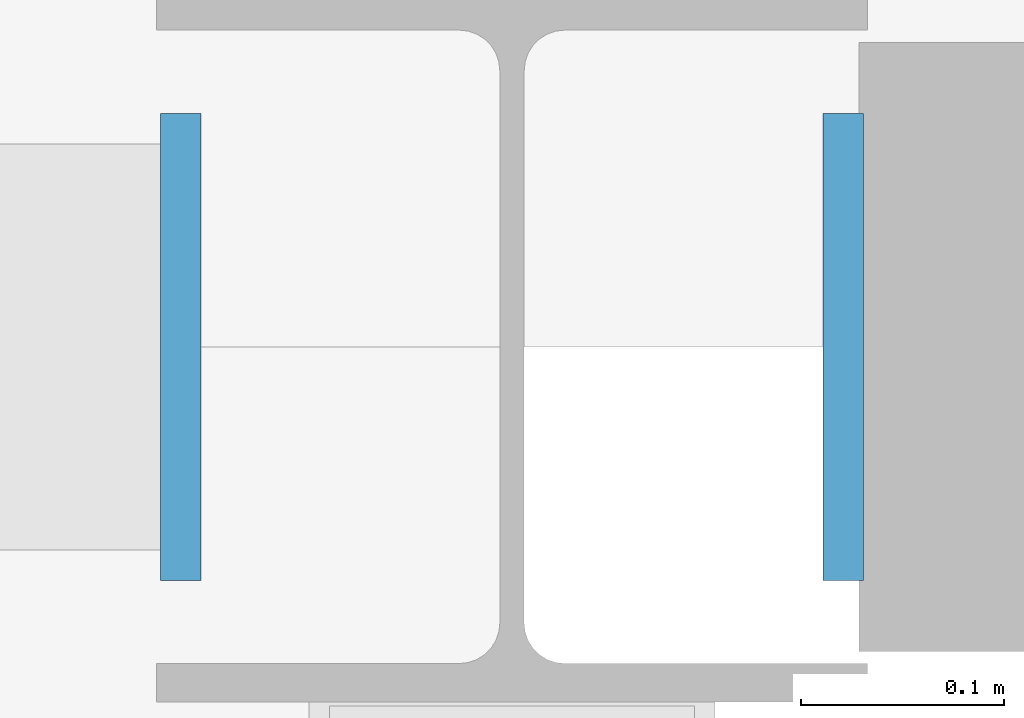
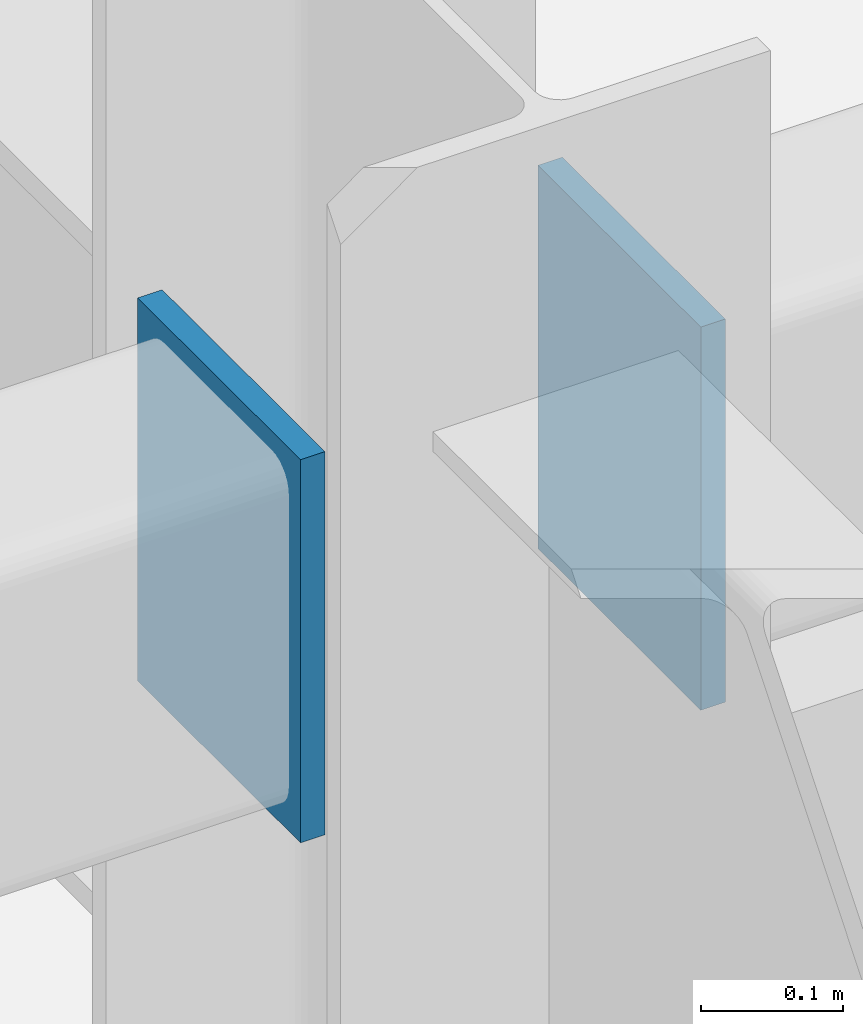
# One storey, part 131 of 184: 2 plates.
"""IFC4 building model written with IfcOpenShell, lengths in metres."""

from ifc_helpers import new_model, si_unit, direction, frame, origin, origin_2d, place, context, subcontext, project, spatial, rectangle, extrude, material, layer, layer_set, type_object, element, save


model = new_model("IFC4")

# Units and contexts
model_context = context("Model", 3, precision=1e-05, world=origin(), true_north=direction((0.0, 1.0)))
body_context = subcontext(model_context, "Body", "Model", "MODEL_VIEW")
ifc_project = project(units=[si_unit("LENGTHUNIT", "METRE"), si_unit("AREAUNIT", "SQUARE_METRE"), si_unit("VOLUMEUNIT", "CUBIC_METRE"), si_unit("PLANEANGLEUNIT", "RADIAN"), si_unit("MASSUNIT", "GRAM", prefix="KILO")], contexts=[model_context])

# Site, building, storey
site_placement = place(None, origin())
site = spatial("IfcSite", under=ifc_project, at=site_placement, CompositionType="ELEMENT")
building_placement = place(site_placement, origin())
building = spatial("IfcBuilding", under=site, at=building_placement, Name="Zhaolan Boulevard Law Courts", CompositionType="ELEMENT")
storey_placement = place(building_placement, frame((0.0, 0.0, 5.39990234375)))
storey = spatial("IfcBuildingStorey", under=building, at=storey_placement, Name="L01", CompositionType="ELEMENT", Elevation=5.39990234375)

# Plates
ifc_material = material(Name="Structural steel Q355B", Category="steel")
ifc_layer = layer(ifc_material, 0.02001953125)
ifc_layer_set = layer_set([ifc_layer])
plate_type = type_object("IfcPlateType", Name="END CAP PLATE 20", PredefinedType="SHEET", material=ifc_layer_set)
for number, where, z_axis, x_axis, name in (
    (1, (123.8369140625, 62.0, 4.802978515625), (0.0, 0.0, 1.0), (1.0, 0.0, 0.0), "Hollow Section End-Cap Plate ECP-0808"),
    (2, (124.1630859375, 62.0, 4.802978515625), (0.0, 0.0, 1.0), (1.0, 0.0, 0.0), "Hollow Section End-Cap Plate ECP-0809"),
):
    element("IfcPlate", number, at=place(storey_placement, frame(where, z_axis=z_axis, x_axis=x_axis)), inside=storey, type_object=plate_type, Name=name, PredefinedType="SHEET", context=body_context, shape_type="SweptSolid", body=[
        extrude(rectangle(XDim=0.02001953125, YDim=0.22998046875, at=origin_2d()), origin(), (0.0, 0.0, 1.0), 0.330078125),
    ])

save(model, "model.ifc")
